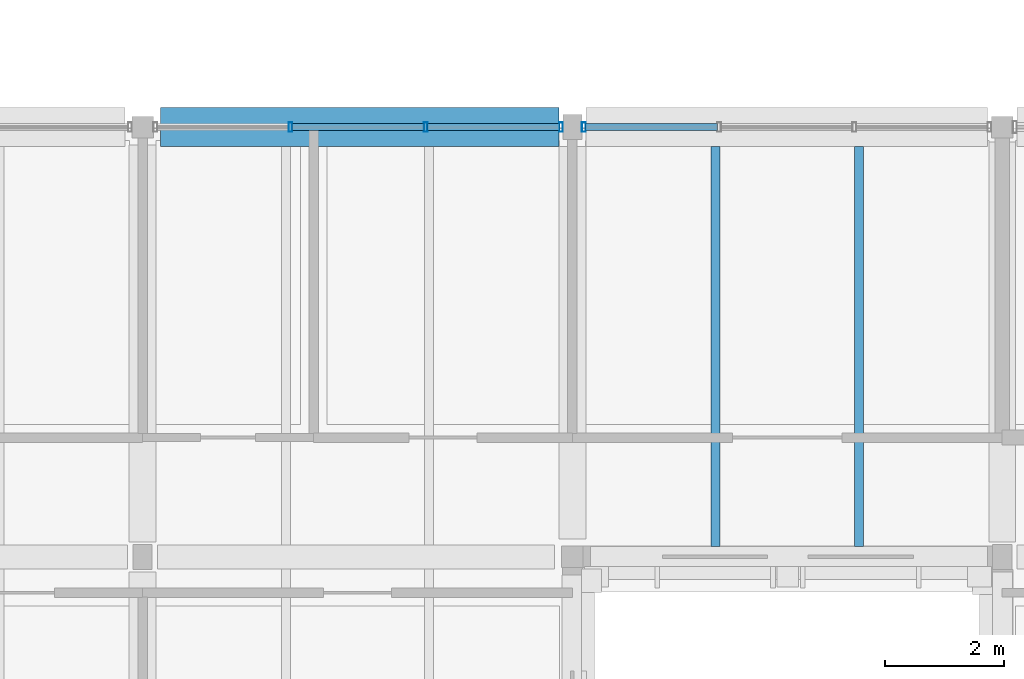
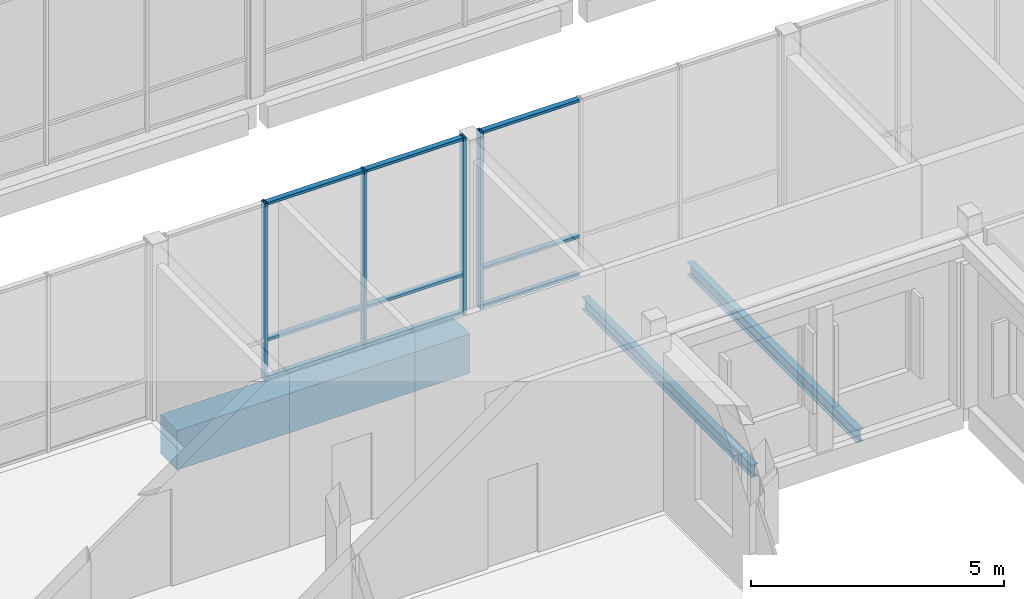
# One storey, part 30 of 146: 13 members, 3 beams, 2 elements without a shape of their own.
"""IFC4 building model written with IfcOpenShell, lengths in metres."""

from ifc_helpers import new_model, si_unit, direction, frame, origin, origin_2d, place, context, subcontext, project, spatial, rectangle, hollow_rectangle, i_section, extrude, material, material_profile, profile_set, type_object, element, aggregate, save


model = new_model("IFC4")

# Units and contexts
model_context = context("Model", 3, precision=1e-05, world=origin(), true_north=direction((0.0, 1.0)))
body_context = subcontext(model_context, "Body", "Model", "MODEL_VIEW")
ifc_project = project(units=[si_unit("LENGTHUNIT", "METRE"), si_unit("AREAUNIT", "SQUARE_METRE"), si_unit("VOLUMEUNIT", "CUBIC_METRE"), si_unit("PLANEANGLEUNIT", "RADIAN"), si_unit("MASSUNIT", "GRAM", prefix="KILO")], contexts=[model_context])

# Site, building, storey
site_placement = place(None, origin())
site = spatial("IfcSite", under=ifc_project, at=site_placement, CompositionType="ELEMENT")
building_placement = place(site_placement, origin())
building = spatial("IfcBuilding", under=site, at=building_placement, Name="Hawrajan Terrace Health Centre", CompositionType="ELEMENT")
storey_placement = place(building_placement, frame((0.0, 0.0, 4.5)))
storey = spatial("IfcBuildingStorey", under=building, at=storey_placement, Name="L01", CompositionType="ELEMENT", Elevation=4.5)

# Curtain wall, members
ifc_material_1 = material(Name="Anodized bronze aluminium and low-E solar glazing", Category="aluminium")
curtain_wall_type_1 = type_object("IfcCurtainWallType", Name="CW_Garden_SeriesF2", PredefinedType="USERDEFINED", material=ifc_material_1)
curtain_wall_1_placement = place(storey_placement, origin())
curtain_wall_1 = element("IfcCurtainWall", 1, at=curtain_wall_1_placement, inside=storey, type_object=curtain_wall_type_1, Name="Curtain wall CW-L01-063", ObjectType="UNITISED CURTAIN WALL", PredefinedType="USERDEFINED")
ifc_material_2 = material(Name="Anodized bronze aluminium 6063-T6", Category="aluminium")
ifc_material_profile_1 = material_profile(ifc_material_2, hollow_rectangle(XDim=0.06494140625, YDim=0.159912109375, WallThickness=0.00390625, at=origin_2d()), Name="CW MUL 65x160")
ifc_profile_set_1 = profile_set([ifc_material_profile_1], Name="Anodized bronze aluminium 6063-T6")
member_type_1 = type_object("IfcMemberType", Name="CWMullion_65x160", PredefinedType="MULLION", material=ifc_profile_set_1)
member_1_placement = place(storey_placement, frame((35.87744140625, 18.60009765625, -0.0048828125), z_axis=(0.0, 0.0, 1.0), x_axis=(1.0, 0.0, 0.0)))
member_1 = element("IfcMember", 2, at=member_1_placement, type_object=member_type_1, Name="Mullion CW-L01-063-M2", PredefinedType="MULLION", context=body_context, shape_type="SweptSolid", body=[
    extrude(hollow_rectangle(XDim=0.06494140625, YDim=0.159912109375, WallThickness=0.00390625, at=origin_2d()), origin(), (0.0, 0.0, 1.0), 4.269775390625),
])
member_2_placement = place(storey_placement, frame((38.142578125, 18.60009765625, -0.0048828125), z_axis=(0.0, 0.0, 1.0), x_axis=(1.0, 0.0, 0.0)))
member_2 = element("IfcMember", 3, at=member_2_placement, type_object=member_type_1, Name="Mullion CW-L01-063-M3", PredefinedType="MULLION", context=body_context, shape_type="SweptSolid", body=[
    extrude(hollow_rectangle(XDim=0.06494140625, YDim=0.159912109375, WallThickness=0.00390625, at=origin_2d()), origin(), (0.0, 0.0, 1.0), 4.269775390625),
])
member_3_placement = place(storey_placement, frame((40.407470703125, 18.60009765625, -0.0048828125), z_axis=(0.0, 0.0, 1.0), x_axis=(1.0, 0.0, 0.0)))
member_3 = element("IfcMember", 4, at=member_3_placement, type_object=member_type_1, Name="Mullion CW-L01-063-M4", PredefinedType="MULLION", context=body_context, shape_type="SweptSolid", body=[
    extrude(hollow_rectangle(XDim=0.06494140625, YDim=0.159912109375, WallThickness=0.00390625, at=origin_2d()), origin(), (0.0, 0.0, 1.0), 4.269775390625),
])

# Curtain wall, member
curtain_wall_type_2 = type_object("IfcCurtainWallType", Name="CW_Terrace_SeriesK1", PredefinedType="USERDEFINED", material=ifc_material_1)
curtain_wall_2_placement = place(storey_placement, origin())
curtain_wall_2 = element("IfcCurtainWall", 5, at=curtain_wall_2_placement, inside=storey, type_object=curtain_wall_type_2, Name="Curtain wall CW-L01-069", ObjectType="UNITISED CURTAIN WALL", PredefinedType="USERDEFINED")
member_4_placement = place(storey_placement, frame((40.79248046875, 18.60009765625, -0.0048828125), z_axis=(0.0, 0.0, 1.0), x_axis=(1.0, 0.0, 0.0)))
member_4 = element("IfcMember", 6, at=member_4_placement, type_object=member_type_1, Name="Mullion CW-L01-069-M1", PredefinedType="MULLION", context=body_context, shape_type="SweptSolid", body=[
    extrude(hollow_rectangle(XDim=0.06494140625, YDim=0.159912109375, WallThickness=0.00390625, at=origin_2d()), origin(), (0.0, 0.0, 1.0), 4.269775390625),
])

# Member
ifc_material_profile_2 = material_profile(ifc_material_2, hollow_rectangle(XDim=0.06494140625, YDim=0.1201171875, WallThickness=0.00341796875, at=origin_2d()), Name="CW TRN 65x120")
ifc_profile_set_2 = profile_set([ifc_material_profile_2], Name="Anodized bronze aluminium 6063-T6")
member_type_2 = type_object("IfcMemberType", Name="CWTransom_65x120", PredefinedType="USERDEFINED", material=ifc_profile_set_2)
member_5_placement = place(storey_placement, frame((35.904052734375, 18.60009765625, 0.032470703125), z_axis=(1.0, 0.0, 0.0), x_axis=(0.0, 0.0, 1.0)))
member_5 = element("IfcMember", 7, at=member_5_placement, type_object=member_type_2, Name="Transom CW-L01-063-T2-1", ObjectType="TRANSOM", PredefinedType="USERDEFINED", context=body_context, shape_type="SweptSolid", body=[
    extrude(hollow_rectangle(XDim=0.06494140625, YDim=0.1201171875, WallThickness=0.00341796875, at=origin_2d()), origin(), (0.0, 0.0, 1.0), 2.2119140625),
])

member_6_placement = place(storey_placement, frame((35.904052734375, 18.60009765625, 0.949951171875), z_axis=(1.0, 0.0, 0.0), x_axis=(0.0, 0.0, 1.0)))
member_6 = element("IfcMember", 8, at=member_6_placement, type_object=member_type_2, Name="Transom CW-L01-063-T2-2", ObjectType="TRANSOM", PredefinedType="USERDEFINED", context=body_context, shape_type="SweptSolid", body=[
    extrude(hollow_rectangle(XDim=0.06494140625, YDim=0.1201171875, WallThickness=0.00341796875, at=origin_2d()), origin(), (0.0, 0.0, 1.0), 2.2119140625),
])

member_7_placement = place(storey_placement, frame((35.904052734375, 18.60009765625, 4.2275390625), z_axis=(1.0, 0.0, 0.0), x_axis=(0.0, 0.0, 1.0)))
member_7 = element("IfcMember", 9, at=member_7_placement, type_object=member_type_2, Name="Transom CW-L01-063-T2-3", ObjectType="TRANSOM", PredefinedType="USERDEFINED", context=body_context, shape_type="SweptSolid", body=[
    extrude(hollow_rectangle(XDim=0.06494140625, YDim=0.1201171875, WallThickness=0.00341796875, at=origin_2d()), origin(), (0.0, 0.0, 1.0), 2.2119140625),
])

member_8_placement = place(storey_placement, frame((38.1689453125, 18.60009765625, 0.032470703125), z_axis=(1.0, 0.0, 0.0), x_axis=(0.0, 0.0, 1.0)))
member_8 = element("IfcMember", 10, at=member_8_placement, type_object=member_type_2, Name="Transom CW-L01-063-T3-1", ObjectType="TRANSOM", PredefinedType="USERDEFINED", context=body_context, shape_type="SweptSolid", body=[
    extrude(hollow_rectangle(XDim=0.06494140625, YDim=0.1201171875, WallThickness=0.00341796875, at=origin_2d()), origin(), (0.0, 0.0, 1.0), 2.212158203125),
])

member_9_placement = place(storey_placement, frame((38.1689453125, 18.60009765625, 0.949951171875), z_axis=(1.0, 0.0, 0.0), x_axis=(0.0, 0.0, 1.0)))
member_9 = element("IfcMember", 11, at=member_9_placement, type_object=member_type_2, Name="Transom CW-L01-063-T3-2", ObjectType="TRANSOM", PredefinedType="USERDEFINED", context=body_context, shape_type="SweptSolid", body=[
    extrude(hollow_rectangle(XDim=0.06494140625, YDim=0.1201171875, WallThickness=0.00341796875, at=origin_2d()), origin(), (0.0, 0.0, 1.0), 2.212158203125),
])

member_10_placement = place(storey_placement, frame((38.1689453125, 18.60009765625, 4.2275390625), z_axis=(1.0, 0.0, 0.0), x_axis=(0.0, 0.0, 1.0)))
member_10 = element("IfcMember", 12, at=member_10_placement, type_object=member_type_2, Name="Transom CW-L01-063-T3-3", ObjectType="TRANSOM", PredefinedType="USERDEFINED", context=body_context, shape_type="SweptSolid", body=[
    extrude(hollow_rectangle(XDim=0.06494140625, YDim=0.1201171875, WallThickness=0.00341796875, at=origin_2d()), origin(), (0.0, 0.0, 1.0), 2.212158203125),
])

aggregate(curtain_wall_1, [member_1, member_2, member_3, member_5, member_6, member_7, member_8, member_9, member_10])

member_11_placement = place(storey_placement, frame((40.819091796875, 18.60009765625, 0.032470703125), z_axis=(1.0, 0.0, 0.0), x_axis=(0.0, 0.0, 1.0)))
member_11 = element("IfcMember", 13, at=member_11_placement, type_object=member_type_2, Name="Transom CW-L01-069-T1-1", ObjectType="TRANSOM", PredefinedType="USERDEFINED", context=body_context, shape_type="SweptSolid", body=[
    extrude(hollow_rectangle(XDim=0.06494140625, YDim=0.1201171875, WallThickness=0.00341796875, at=origin_2d()), origin(), (0.0, 0.0, 1.0), 2.2119140625),
])

member_12_placement = place(storey_placement, frame((40.819091796875, 18.60009765625, 0.949951171875), z_axis=(1.0, 0.0, 0.0), x_axis=(0.0, 0.0, 1.0)))
member_12 = element("IfcMember", 14, at=member_12_placement, type_object=member_type_2, Name="Transom CW-L01-069-T1-2", ObjectType="TRANSOM", PredefinedType="USERDEFINED", context=body_context, shape_type="SweptSolid", body=[
    extrude(hollow_rectangle(XDim=0.06494140625, YDim=0.1201171875, WallThickness=0.00341796875, at=origin_2d()), origin(), (0.0, 0.0, 1.0), 2.2119140625),
])

member_13_placement = place(storey_placement, frame((40.819091796875, 18.60009765625, 4.2275390625), z_axis=(1.0, 0.0, 0.0), x_axis=(0.0, 0.0, 1.0)))
member_13 = element("IfcMember", 15, at=member_13_placement, type_object=member_type_2, Name="Transom CW-L01-069-T1-3", ObjectType="TRANSOM", PredefinedType="USERDEFINED", context=body_context, shape_type="SweptSolid", body=[
    extrude(hollow_rectangle(XDim=0.06494140625, YDim=0.1201171875, WallThickness=0.00341796875, at=origin_2d()), origin(), (0.0, 0.0, 1.0), 2.2119140625),
])

aggregate(curtain_wall_2, [member_4, member_11, member_12, member_13])

# Beams
ifc_material_3 = material(Name="Concrete C40/50", Category="concrete")
ifc_material_profile_3 = material_profile(ifc_material_3, rectangle(XDim=0.64990234375, YDim=0.949951171875, at=origin_2d()), Name="RC TG 650x950")
ifc_profile_set_3 = profile_set([ifc_material_profile_3], Name="Concrete C40/50")
beam_type_1 = type_object("IfcBeamType", Name="RCTransferGirder_650x950", PredefinedType="BEAM", material=ifc_profile_set_3)
beam_placement = place(storey_placement, frame((33.699951171875, 18.60009765625, -0.77490234375), z_axis=(1.0, 0.0, 0.0), x_axis=(0.0, 1.0, 0.0)))
element("IfcBeam", 16, at=beam_placement, inside=storey, type_object=beam_type_1, Name="Beam BM-X-L01-W-05-Y3", PredefinedType="BEAM", context=body_context, shape_type="SweptSolid", body=[
    extrude(rectangle(XDim=0.64990234375, YDim=0.949951171875, at=origin_2d()), origin(), (0.0, 0.0, 1.0), 6.675048828125),
])
ifc_material_4 = material(Name="Steel S355", Category="steel")
ifc_material_profile_4 = material_profile(ifc_material_4, i_section(OverallWidth=0.14990234375, OverallDepth=0.300048828125, WebThickness=0.007080078125, FlangeThickness=0.0107421875, FilletRadius=0.014892578125, at=origin_2d()), Name="IPE 300")
ifc_profile_set_4 = profile_set([ifc_material_profile_4], Name="Steel S355")
beam_type_2 = type_object("IfcBeamType", Name="SteelBeam_IPE300", PredefinedType="JOIST", material=ifc_profile_set_4)
for number, where, z_axis, x_axis, name in (
    (17, (43.0, 11.574951171875, -0.449951171875), (0.0, 1.0, 0.0), (-1.0, 0.0, 0.0), "Secondary joist JST-L01-W-06-2-1"),
    (18, (45.39990234375, 11.574951171875, -0.449951171875), (0.0, 1.0, 0.0), (-1.0, 0.0, 0.0), "Secondary joist JST-L01-W-06-2-2"),
):
    element("IfcBeam", number, at=place(storey_placement, frame(where, z_axis=z_axis, x_axis=x_axis)), inside=storey, type_object=beam_type_2, Name=name, PredefinedType="JOIST", context=body_context, shape_type="SweptSolid", body=[
        extrude(i_section(OverallWidth=0.14990234375, OverallDepth=0.300048828125, WebThickness=0.007080078125, FlangeThickness=0.0107421875, FilletRadius=0.014892578125, at=origin_2d()), origin(), (0.0, 0.0, 1.0), 6.699951171875),
    ])

save(model, "model.ifc")
